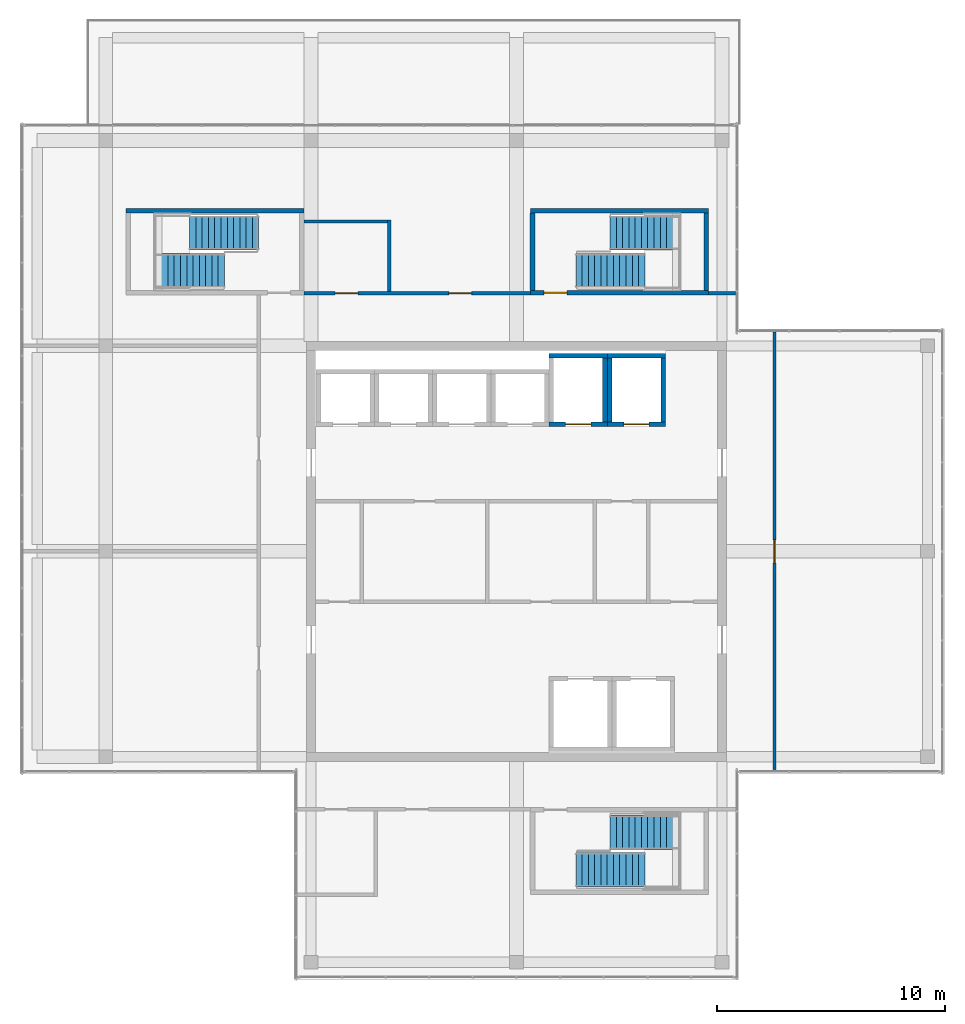
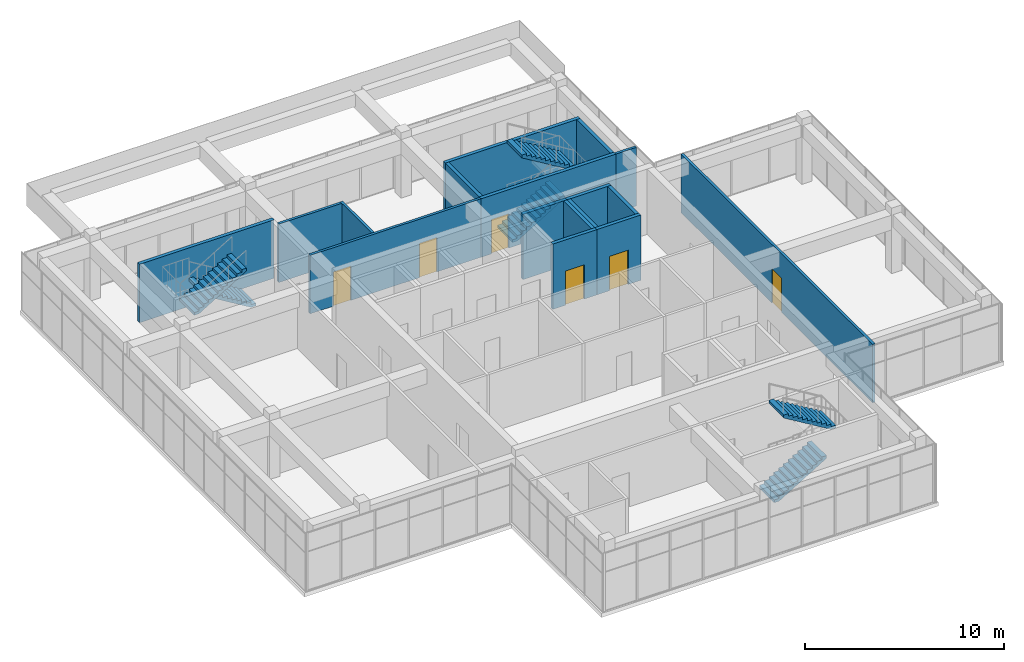
# One storey, part 33 of 35: 17 walls, 6 doors, 6 stair flights, 6 openings, 3 elements without a shape of their own.
"""IFC4 building model written with IfcOpenShell, lengths in metres."""

from ifc_helpers import new_model, si_unit, direction, frame, frame_2d, origin, place, context, subcontext, project, spatial, polyline, rectangle, outline, extrude, material, layer, layer_set, type_object, element, fill, aggregate, save


model = new_model("IFC4")

# Units and contexts
model_context = context("Model", 3, precision=1e-05, world=origin(), true_north=direction((0.0, 1.0)))
body_context = subcontext(model_context, "Body", "Model", "MODEL_VIEW")
ifc_project = project(units=[si_unit("LENGTHUNIT", "METRE"), si_unit("AREAUNIT", "SQUARE_METRE"), si_unit("VOLUMEUNIT", "CUBIC_METRE"), si_unit("PLANEANGLEUNIT", "RADIAN"), si_unit("MASSUNIT", "GRAM", prefix="KILO")], contexts=[model_context])

# Site, building, storey
site_placement = place(None, origin())
site = spatial("IfcSite", under=ifc_project, at=site_placement, CompositionType="ELEMENT")
building_placement = place(site_placement, origin())
building = spatial("IfcBuilding", under=site, at=building_placement, Name="Tuart Plaza Theatre", CompositionType="ELEMENT")
storey_placement = place(building_placement, frame((0.0, 0.0, 49.5)))
storey = spatial("IfcBuildingStorey", under=building, at=storey_placement, Name="L12", CompositionType="ELEMENT", Elevation=49.5)

# Wall, opening, door
ifc_material_1 = material(Name="Masonry block", Category="masonry")
ifc_layer_1 = layer(ifc_material_1, 0.14990234375)
ifc_layer_set_1 = layer_set([ifc_layer_1], Name="PARTITION BLK150 MASONRYB FRL 120/-/-")
wall_type_1 = type_object("IfcWallType", Name="PARTITION BLK150 MASONRYB FRL 120/-/-", PredefinedType="PARTITIONING", material=ifc_layer_set_1)
wall_1_placement = place(storey_placement, frame((143.300048828125, 83.60009765625, 0.0), z_axis=(0.0, 0.0, 1.0), x_axis=(0.0, -1.0, 0.0)))
wall_1 = element("IfcWall", 1, at=wall_1_placement, inside=storey, type_object=wall_type_1, Name="P683", PredefinedType="PARTITIONING", context=body_context, shape_type="SweptSolid", body=[
    extrude(rectangle(XDim=19.2001953125, YDim=0.14990234375, at=frame_2d((9.60009765625, 0.0))), origin(), (0.0, 0.0, 1.0), 3.580078125),
])
opening_1_placement = place(wall_1_placement, frame((9.10009765625, 0.0, 0.0)))
opening_1 = element("IfcOpeningElement", 2, at=opening_1_placement, cuts=wall_1, Name="Opening L12-025", PredefinedType="OPENING", context=body_context, shape_type="SweptSolid", body=[
    extrude(rectangle(XDim=1.0, YDim=2.10009765625, at=frame_2d((0.5, 1.050048828125))), frame((0.0, 0.0849609375, 0.0), z_axis=(0.0, -1.0, 0.0), x_axis=(1.0, 0.0, 0.0)), (0.0, 0.0, 1.0), 0.169921875),
])
ifc_material_2 = material(Name="Timber", Category="wood")
door_type_1 = type_object("IfcDoorType", Name="DOOR 1000x2100 timber single swing FRL -/60/30", OperationType="SINGLE_SWING_LEFT", PredefinedType="DOOR", material=ifc_material_2)
door_1_placement = place(opening_1_placement, origin())
door_1 = element("IfcDoor", 3, at=door_1_placement, inside=storey, type_object=door_type_1, Name="L12-025", OperationType="SINGLE_SWING_LEFT", OverallHeight=2.10009765625, OverallWidth=1.0, PredefinedType="DOOR", context=body_context, shape_type="SweptSolid", body=[
    extrude(rectangle(XDim=1.0, YDim=2.10009765625, at=frame_2d((0.5, 1.050048828125))), frame((0.0, 0.02490234375, 0.0), z_axis=(0.0, -1.0, 0.0), x_axis=(1.0, 0.0, 0.0)), (0.0, 0.0, 1.0), 0.050048828125),
])
fill(opening_1, door_1)

# Wall, openings, doors
wall_2_placement = place(storey_placement, frame((122.699951171875, 85.300048828125, 0.0), z_axis=(0.0, 0.0, 1.0), x_axis=(1.0, 0.0, 0.0)))
wall_2 = element("IfcWall", 4, at=wall_2_placement, inside=storey, type_object=wall_type_1, Name="P684", PredefinedType="PARTITIONING", context=body_context, shape_type="SweptSolid", body=[
    extrude(rectangle(XDim=9.900146484375, YDim=0.14990234375, at=frame_2d((4.9501953125, 0.0))), origin(), (0.0, 0.0, 1.0), 3.580078125),
])
opening_2_placement = place(wall_2_placement, frame((1.35009765625, 0.0, 0.0)))
opening_2 = element("IfcOpeningElement", 5, at=opening_2_placement, cuts=wall_2, Name="Opening L12-022", PredefinedType="OPENING", context=body_context, shape_type="SweptSolid", body=[
    extrude(rectangle(XDim=1.0, YDim=2.10009765625, at=frame_2d((0.5, 1.050048828125))), frame((0.0, 0.0849609375, 0.0), z_axis=(0.0, -1.0, 0.0), x_axis=(1.0, 0.0, 0.0)), (0.0, 0.0, 1.0), 0.169921875),
])
opening_3_placement = place(wall_2_placement, frame((6.3349609375, 0.0, 0.0)))
opening_3 = element("IfcOpeningElement", 6, at=opening_3_placement, cuts=wall_2, Name="Opening L12-027", PredefinedType="OPENING", context=body_context, shape_type="SweptSolid", body=[
    extrude(rectangle(XDim=1.0, YDim=2.10009765625, at=frame_2d((0.5, 1.050048828125))), frame((0.0, 0.0849609375, 0.0), z_axis=(0.0, -1.0, 0.0), x_axis=(1.0, 0.0, 0.0)), (0.0, 0.0, 1.0), 0.169921875),
])
door_2_placement = place(opening_2_placement, origin())
door_2 = element("IfcDoor", 7, at=door_2_placement, inside=storey, type_object=door_type_1, Name="L12-022", OperationType="SINGLE_SWING_LEFT", OverallHeight=2.10009765625, OverallWidth=1.0, PredefinedType="DOOR", context=body_context, shape_type="SweptSolid", body=[
    extrude(rectangle(XDim=1.0, YDim=2.10009765625, at=frame_2d((0.5, 1.050048828125))), frame((0.0, 0.02490234375, 0.0), z_axis=(0.0, -1.0, 0.0), x_axis=(1.0, 0.0, 0.0)), (0.0, 0.0, 1.0), 0.050048828125),
])
fill(opening_2, door_2)
door_3_placement = place(opening_3_placement, origin())
door_3 = element("IfcDoor", 8, at=door_3_placement, inside=storey, type_object=door_type_1, Name="L12-027", OperationType="SINGLE_SWING_LEFT", OverallHeight=2.10009765625, OverallWidth=1.0, PredefinedType="DOOR", context=body_context, shape_type="SweptSolid", body=[
    extrude(rectangle(XDim=1.0, YDim=2.10009765625, at=frame_2d((0.5, 1.050048828125))), frame((0.0, 0.02490234375, 0.0), z_axis=(0.0, -1.0, 0.0), x_axis=(1.0, 0.0, 0.0)), (0.0, 0.0, 1.0), 0.050048828125),
])
fill(opening_3, door_3)

# Walls
wall_3_placement = place(storey_placement, frame((140.39990234375, 85.300048828125, 0.0), z_axis=(0.0, 0.0, 1.0), x_axis=(1.0, 0.0, 0.0)))
element("IfcWall", 9, at=wall_3_placement, inside=storey, type_object=wall_type_1, Name="P685", PredefinedType="PARTITIONING", context=body_context, shape_type="SweptSolid", body=[
    extrude(rectangle(XDim=1.2001953125, YDim=0.14990234375, at=frame_2d((0.60009765625, 0.0))), origin(), (0.0, 0.0, 1.0), 3.580078125),
])
wall_4_placement = place(storey_placement, frame((122.699951171875, 88.449951171875, 0.0), z_axis=(0.0, 0.0, 1.0), x_axis=(1.0, 0.0, 0.0)))
element("IfcWall", 10, at=wall_4_placement, inside=storey, type_object=wall_type_1, Name="P690", PredefinedType="PARTITIONING", context=body_context, shape_type="SweptSolid", body=[
    extrude(rectangle(XDim=3.650146484375, YDim=0.14990234375, at=frame_2d((1.8251953125, 0.0))), origin(), (0.0, 0.0, 1.0), 3.580078125),
])
wall_5_placement = place(storey_placement, frame((126.425048828125, 85.375, 0.0), z_axis=(0.0, 0.0, 1.0), x_axis=(0.0, 1.0, 0.0)))
element("IfcWall", 11, at=wall_5_placement, inside=storey, type_object=wall_type_1, Name="P691", PredefinedType="PARTITIONING", context=body_context, shape_type="SweptSolid", body=[
    extrude(rectangle(XDim=3.14990234375, YDim=0.14990234375, at=frame_2d((1.574951171875, 0.0))), origin(), (0.0, 0.0, 1.0), 3.580078125),
])

# Wall, opening, door
ifc_material_3 = material(Name="Concrete N40 (40 MPa)", Category="concrete")
ifc_layer_2 = layer(ifc_material_3, 0.199951171875)
ifc_layer_set_2 = layer_set([ifc_layer_2], Name="SHEAR WALL RC200 FRL 120/120/120")
wall_type_2 = type_object("IfcWallType", Name="SHEAR WALL RC200 FRL 120/120/120", PredefinedType="SHEAR", material=ifc_layer_set_2)
wall_6_placement = place(storey_placement, frame((133.425048828125, 79.574951171875, 0.0), z_axis=(0.0, 0.0, 1.0), x_axis=(1.0, 0.0, 0.0)))
wall_6 = element("IfcWall", 12, at=wall_6_placement, inside=storey, type_object=wall_type_2, Name="W1214", PredefinedType="SHEAR", context=body_context, shape_type="SweptSolid", body=[
    extrude(rectangle(XDim=2.550048828125, YDim=0.199951171875, at=frame_2d((1.27490234375, 0.0))), origin(), (0.0, 0.0, 1.0), 4.0),
])
opening_4_placement = place(wall_6_placement, frame((0.72509765625, 0.0, 0.0)))
opening_4 = element("IfcOpeningElement", 13, at=opening_4_placement, cuts=wall_6, Name="Opening L12-007", PredefinedType="OPENING", context=body_context, shape_type="SweptSolid", body=[
    extrude(rectangle(XDim=1.10009765625, YDim=2.10009765625, at=frame_2d((0.550048828125, 1.050048828125))), frame((0.0, 0.10986328125, 0.0), z_axis=(0.0, -1.0, 0.0), x_axis=(1.0, 0.0, 0.0)), (0.0, 0.0, 1.0), 0.219970703125),
])
ifc_material_4 = material(Name="Steel Grade 300", Category="steel")
door_type_2 = type_object("IfcDoorType", Name="LANDING DOOR 1100x2100 steel sliding FRL -/120/30", OperationType="SLIDING_TO_LEFT", PredefinedType="DOOR", material=ifc_material_4)
door_4_placement = place(opening_4_placement, origin())
door_4 = element("IfcDoor", 14, at=door_4_placement, inside=storey, type_object=door_type_2, Name="L12-007", OperationType="SLIDING_TO_LEFT", OverallHeight=2.10009765625, OverallWidth=1.10009765625, PredefinedType="DOOR", context=body_context, shape_type="SweptSolid", body=[
    extrude(rectangle(XDim=1.10009765625, YDim=2.10009765625, at=frame_2d((0.550048828125, 1.050048828125))), frame((0.0, 0.02490234375, 0.0), z_axis=(0.0, -1.0, 0.0), x_axis=(1.0, 0.0, 0.0)), (0.0, 0.0, 1.0), 0.050048828125),
])
fill(opening_4, door_4)

# Walls
wall_7_placement = place(storey_placement, frame((135.875, 79.675048828125, 0.0), z_axis=(0.0, 0.0, 1.0), x_axis=(0.0, 1.0, 0.0)))
element("IfcWall", 15, at=wall_7_placement, inside=storey, type_object=wall_type_2, Name="W1215", PredefinedType="SHEAR", context=body_context, shape_type="SweptSolid", body=[
    extrude(rectangle(XDim=2.800048828125, YDim=0.199951171875, at=frame_2d((1.39990234375, 0.0))), origin(), (0.0, 0.0, 1.0), 4.0),
])
wall_8_placement = place(storey_placement, frame((135.97509765625, 82.574951171875, 0.0), z_axis=(0.0, 0.0, 1.0), x_axis=(-1.0, 0.0, 0.0)))
element("IfcWall", 16, at=wall_8_placement, inside=storey, type_object=wall_type_2, Name="W1216", PredefinedType="SHEAR", context=body_context, shape_type="SweptSolid", body=[
    extrude(rectangle(XDim=2.550048828125, YDim=0.199951171875, at=frame_2d((1.27490234375, 0.0))), origin(), (0.0, 0.0, 1.0), 4.0),
])

# Wall, opening, door
wall_9_placement = place(storey_placement, frame((135.97509765625, 79.574951171875, 0.0), z_axis=(0.0, 0.0, 1.0), x_axis=(1.0, 0.0, 0.0)))
wall_9 = element("IfcWall", 17, at=wall_9_placement, inside=storey, type_object=wall_type_2, Name="W1290", PredefinedType="SHEAR", context=body_context, shape_type="SweptSolid", body=[
    extrude(rectangle(XDim=2.5498046875, YDim=0.199951171875, at=frame_2d((1.27490234375, 0.0))), origin(), (0.0, 0.0, 1.0), 4.0),
])
opening_5_placement = place(wall_9_placement, frame((0.72509765625, 0.0, 0.0)))
opening_5 = element("IfcOpeningElement", 18, at=opening_5_placement, cuts=wall_9, Name="Opening L12-008", PredefinedType="OPENING", context=body_context, shape_type="SweptSolid", body=[
    extrude(rectangle(XDim=1.10009765625, YDim=2.10009765625, at=frame_2d((0.550048828125, 1.050048828125))), frame((0.0, 0.10986328125, 0.0), z_axis=(0.0, -1.0, 0.0), x_axis=(1.0, 0.0, 0.0)), (0.0, 0.0, 1.0), 0.219970703125),
])
door_5_placement = place(opening_5_placement, origin())
door_5 = element("IfcDoor", 19, at=door_5_placement, inside=storey, type_object=door_type_2, Name="L12-008", OperationType="SLIDING_TO_LEFT", OverallHeight=2.10009765625, OverallWidth=1.10009765625, PredefinedType="DOOR", context=body_context, shape_type="SweptSolid", body=[
    extrude(rectangle(XDim=1.10009765625, YDim=2.10009765625, at=frame_2d((0.550048828125, 1.050048828125))), frame((0.0, 0.02490234375, 0.0), z_axis=(0.0, -1.0, 0.0), x_axis=(1.0, 0.0, 0.0)), (0.0, 0.0, 1.0), 0.050048828125),
])
fill(opening_5, door_5)

# Walls
wall_10_placement = place(storey_placement, frame((138.425048828125, 79.675048828125, 0.0), z_axis=(0.0, 0.0, 1.0), x_axis=(0.0, 1.0, 0.0)))
element("IfcWall", 20, at=wall_10_placement, inside=storey, type_object=wall_type_2, Name="W1291", PredefinedType="SHEAR", context=body_context, shape_type="SweptSolid", body=[
    extrude(rectangle(XDim=2.800048828125, YDim=0.199951171875, at=frame_2d((1.39990234375, 0.0))), origin(), (0.0, 0.0, 1.0), 4.0),
])
wall_11_placement = place(storey_placement, frame((138.52490234375, 82.574951171875, 0.0), z_axis=(0.0, 0.0, 1.0), x_axis=(-1.0, 0.0, 0.0)))
element("IfcWall", 21, at=wall_11_placement, inside=storey, type_object=wall_type_2, Name="W1292", PredefinedType="SHEAR", context=body_context, shape_type="SweptSolid", body=[
    extrude(rectangle(XDim=2.5498046875, YDim=0.199951171875, at=frame_2d((1.27490234375, 0.0))), origin(), (0.0, 0.0, 1.0), 4.0),
])
wall_12_placement = place(storey_placement, frame((136.074951171875, 82.47509765625, 0.0), z_axis=(0.0, 0.0, 1.0), x_axis=(0.0, -1.0, 0.0)))
element("IfcWall", 22, at=wall_12_placement, inside=storey, type_object=wall_type_2, Name="W1293", PredefinedType="SHEAR", context=body_context, shape_type="SweptSolid", body=[
    extrude(rectangle(XDim=2.800048828125, YDim=0.199951171875, at=frame_2d((1.39990234375, 0.0))), origin(), (0.0, 0.0, 1.0), 4.0),
])

# Wall, opening, door
wall_13_placement = place(storey_placement, frame((132.60009765625, 85.324951171875, 0.0), z_axis=(0.0, 0.0, 1.0), x_axis=(1.0, 0.0, 0.0)))
wall_13 = element("IfcWall", 23, at=wall_13_placement, inside=storey, type_object=wall_type_2, Name="P436", PredefinedType="SHEAR", context=body_context, shape_type="SweptSolid", body=[
    extrude(rectangle(XDim=7.7998046875, YDim=0.199951171875, at=frame_2d((3.89990234375, 0.0))), origin(), (0.0, 0.0, 1.0), 3.580078125),
])
opening_6_placement = place(wall_13_placement, frame((0.60009765625, 0.0, 0.0)))
opening_6 = element("IfcOpeningElement", 24, at=opening_6_placement, cuts=wall_13, Name="Opening L12-010", PredefinedType="OPENING", context=body_context, shape_type="SweptSolid", body=[
    extrude(rectangle(XDim=1.0, YDim=2.10009765625, at=frame_2d((0.5, 1.050048828125))), frame((0.0, 0.10986328125, 0.0), z_axis=(0.0, -1.0, 0.0), x_axis=(1.0, 0.0, 0.0)), (0.0, 0.0, 1.0), 0.219970703125),
])
ifc_material_5 = material(Name="Steel Grade 300", Category="steel")
door_type_3 = type_object("IfcDoorType", Name="DOOR 1000x2100 steel single swing FRL -/120/30", OperationType="SINGLE_SWING_LEFT", PredefinedType="DOOR", material=ifc_material_5)
door_6_placement = place(opening_6_placement, origin())
door_6 = element("IfcDoor", 25, at=door_6_placement, inside=storey, type_object=door_type_3, Name="L12-010", OperationType="SINGLE_SWING_RIGHT", OverallHeight=2.10009765625, OverallWidth=1.0, PredefinedType="DOOR", context=body_context, shape_type="SweptSolid", body=[
    extrude(rectangle(XDim=1.0, YDim=2.10009765625, at=frame_2d((0.5, 1.050048828125))), frame((0.0, 0.02490234375, 0.0), z_axis=(0.0, -1.0, 0.0), x_axis=(1.0, 0.0, 0.0)), (0.0, 0.0, 1.0), 0.050048828125),
])
fill(opening_6, door_6)

# Walls
wall_14_placement = place(storey_placement, frame((140.300048828125, 85.425048828125, 0.0), z_axis=(0.0, 0.0, 1.0), x_axis=(0.0, 1.0, 0.0)))
element("IfcWall", 26, at=wall_14_placement, inside=storey, type_object=wall_type_2, Name="P437", PredefinedType="SHEAR", context=body_context, shape_type="SweptSolid", body=[
    extrude(rectangle(XDim=3.39990234375, YDim=0.199951171875, at=frame_2d((1.699951171875, 0.0))), origin(), (0.0, 0.0, 1.0), 3.580078125),
])
wall_15_placement = place(storey_placement, frame((140.39990234375, 88.925048828125, 0.0), z_axis=(0.0, 0.0, 1.0), x_axis=(-1.0, 0.0, 0.0)))
element("IfcWall", 27, at=wall_15_placement, inside=storey, type_object=wall_type_2, Name="P438", PredefinedType="SHEAR", context=body_context, shape_type="SweptSolid", body=[
    extrude(rectangle(XDim=7.7998046875, YDim=0.199951171875, at=frame_2d((3.89990234375, 0.0))), origin(), (0.0, 0.0, 1.0), 3.580078125),
])
wall_16_placement = place(storey_placement, frame((132.699951171875, 88.824951171875, 0.0), z_axis=(0.0, 0.0, 1.0), x_axis=(0.0, -1.0, 0.0)))
element("IfcWall", 28, at=wall_16_placement, inside=storey, type_object=wall_type_2, Name="P439", PredefinedType="SHEAR", context=body_context, shape_type="SweptSolid", body=[
    extrude(rectangle(XDim=3.39990234375, YDim=0.199951171875, at=frame_2d((1.699951171875, 0.0))), origin(), (0.0, 0.0, 1.0), 3.580078125),
])
wall_17_placement = place(storey_placement, frame((122.699951171875, 88.925048828125, 0.0), z_axis=(0.0, 0.0, 1.0), x_axis=(-1.0, 0.0, 0.0)))
element("IfcWall", 29, at=wall_17_placement, inside=storey, type_object=wall_type_2, Name="P466", PredefinedType="SHEAR", context=body_context, shape_type="SweptSolid", body=[
    extrude(rectangle(XDim=7.800048828125, YDim=0.199951171875, at=frame_2d((3.89990234375, 0.0))), origin(), (0.0, 0.0, 1.0), 3.580078125),
])

# Stair, stair flights
ifc_material_6 = material(Name="Concrete N40 (40 MPa)", Category="concrete")
stair_type = type_object("IfcStairType", Name="STAIR half turn 1500", PredefinedType="HALF_TURN_STAIR", material=ifc_material_6)
stair_1_placement = place(storey_placement, origin())
stair_1 = element("IfcStair", 30, at=stair_1_placement, inside=storey, type_object=stair_type, Name="SC-5", PredefinedType="HALF_TURN_STAIR")
ifc_material_7 = material(Name="Concrete N40 (40 MPa)", Category="concrete")
stair_flight_type = type_object("IfcStairFlightType", Name="STAIR FLIGHT 166.7 275 1500", PredefinedType="STRAIGHT", material=ifc_material_7)
stair_flight_1_placement = place(storey_placement, frame((134.594970703125, 60.050048828125, 0.0), z_axis=(0.0, 0.0, 1.0), x_axis=(1.0, 0.0, 0.0)))
stair_flight_1 = element("IfcStairFlight", 31, at=stair_flight_1_placement, type_object=stair_flight_type, Name="SC-5 flight 1", NumberOfRisers=12, NumberOfTreads=11, PredefinedType="STRAIGHT", RiserHeight=0.166666667, TreadLength=0.275, context=body_context, shape_type="SweptSolid", body=[
    extrude(outline(polyline([(0.0, 0.0), (0.0, 0.166748046875), (0.27490234375, 0.166748046875), (0.27490234375, 0.333251953125), (0.550048828125, 0.333251953125), (0.550048828125, 0.5), (0.824951171875, 0.5), (0.824951171875, 0.666748046875), (1.10009765625, 0.666748046875), (1.10009765625, 0.833251953125), (1.375, 0.833251953125), (1.375, 1.0), (1.64990234375, 1.0), (1.64990234375, 1.166748046875), (1.925048828125, 1.166748046875), (1.925048828125, 1.333251953125), (2.199951171875, 1.333251953125), (2.199951171875, 1.5), (2.47509765625, 1.5), (2.47509765625, 1.666748046875), (2.75, 1.666748046875), (2.75, 1.833251953125), (3.02490234375, 1.833251953125), (3.02490234375, 2.0), (3.02490234375, 1.657958984375), (0.289306640625, 0.0), (0.0, 0.0)])), frame((0.0, 0.75, 0.0), z_axis=(0.0, -1.0, 0.0), x_axis=(1.0, 0.0, 0.0)), (0.0, 0.0, 1.0), 1.5),
])
stair_flight_2_placement = place(storey_placement, frame((139.1201171875, 61.699951171875, 2.0), z_axis=(0.0, 0.0, 1.0), x_axis=(-1.0, 0.0, 0.0)))
stair_flight_2 = element("IfcStairFlight", 32, at=stair_flight_2_placement, type_object=stair_flight_type, Name="SC-5 flight 2", NumberOfRisers=12, NumberOfTreads=11, PredefinedType="STRAIGHT", RiserHeight=0.166666667, TreadLength=0.275, context=body_context, shape_type="SweptSolid", body=[
    extrude(outline(polyline([(0.0, 0.0), (0.0, 0.166748046875), (0.27490234375, 0.166748046875), (0.27490234375, 0.333251953125), (0.550048828125, 0.333251953125), (0.550048828125, 0.5), (0.824951171875, 0.5), (0.824951171875, 0.666748046875), (1.10009765625, 0.666748046875), (1.10009765625, 0.833251953125), (1.375, 0.833251953125), (1.375, 1.0), (1.64990234375, 1.0), (1.64990234375, 1.166748046875), (1.925048828125, 1.166748046875), (1.925048828125, 1.333251953125), (2.199951171875, 1.333251953125), (2.199951171875, 1.5), (2.47509765625, 1.5), (2.47509765625, 1.666748046875), (2.75, 1.666748046875), (2.75, 1.833251953125), (3.02490234375, 1.833251953125), (3.02490234375, 2.0), (3.02490234375, 1.657958984375), (0.289306640625, 0.0), (0.0, 0.0)])), frame((0.0, 0.75, 0.0), z_axis=(0.0, -1.0, 0.0), x_axis=(1.0, 0.0, 0.0)), (0.0, 0.0, 1.0), 1.5),
])
aggregate(stair_1, [stair_flight_1, stair_flight_2])

stair_2_placement = place(storey_placement, origin())
stair_2 = element("IfcStair", 33, at=stair_2_placement, inside=storey, type_object=stair_type, Name="SC-11", PredefinedType="HALF_TURN_STAIR")
stair_flight_3_placement = place(storey_placement, frame((134.594970703125, 86.300048828125, 0.0), z_axis=(0.0, 0.0, 1.0), x_axis=(1.0, 0.0, 0.0)))
stair_flight_3 = element("IfcStairFlight", 34, at=stair_flight_3_placement, type_object=stair_flight_type, Name="SC-11 flight 1", NumberOfRisers=12, NumberOfTreads=11, PredefinedType="STRAIGHT", RiserHeight=0.166666667, TreadLength=0.275, context=body_context, shape_type="SweptSolid", body=[
    extrude(outline(polyline([(0.0, 0.0), (0.0, 0.166748046875), (0.27490234375, 0.166748046875), (0.27490234375, 0.333251953125), (0.550048828125, 0.333251953125), (0.550048828125, 0.5), (0.824951171875, 0.5), (0.824951171875, 0.666748046875), (1.10009765625, 0.666748046875), (1.10009765625, 0.833251953125), (1.375, 0.833251953125), (1.375, 1.0), (1.64990234375, 1.0), (1.64990234375, 1.166748046875), (1.925048828125, 1.166748046875), (1.925048828125, 1.333251953125), (2.199951171875, 1.333251953125), (2.199951171875, 1.5), (2.47509765625, 1.5), (2.47509765625, 1.666748046875), (2.75, 1.666748046875), (2.75, 1.833251953125), (3.02490234375, 1.833251953125), (3.02490234375, 2.0), (3.02490234375, 1.657958984375), (0.289306640625, 0.0), (0.0, 0.0)])), frame((0.0, 0.75, 0.0), z_axis=(0.0, -1.0, 0.0), x_axis=(1.0, 0.0, 0.0)), (0.0, 0.0, 1.0), 1.5),
])
stair_flight_4_placement = place(storey_placement, frame((139.1201171875, 87.949951171875, 2.0), z_axis=(0.0, 0.0, 1.0), x_axis=(-1.0, 0.0, 0.0)))
stair_flight_4 = element("IfcStairFlight", 35, at=stair_flight_4_placement, type_object=stair_flight_type, Name="SC-11 flight 2", NumberOfRisers=12, NumberOfTreads=11, PredefinedType="STRAIGHT", RiserHeight=0.166666667, TreadLength=0.275, context=body_context, shape_type="SweptSolid", body=[
    extrude(outline(polyline([(0.0, 0.0), (0.0, 0.166748046875), (0.27490234375, 0.166748046875), (0.27490234375, 0.333251953125), (0.550048828125, 0.333251953125), (0.550048828125, 0.5), (0.824951171875, 0.5), (0.824951171875, 0.666748046875), (1.10009765625, 0.666748046875), (1.10009765625, 0.833251953125), (1.375, 0.833251953125), (1.375, 1.0), (1.64990234375, 1.0), (1.64990234375, 1.166748046875), (1.925048828125, 1.166748046875), (1.925048828125, 1.333251953125), (2.199951171875, 1.333251953125), (2.199951171875, 1.5), (2.47509765625, 1.5), (2.47509765625, 1.666748046875), (2.75, 1.666748046875), (2.75, 1.833251953125), (3.02490234375, 1.833251953125), (3.02490234375, 2.0), (3.02490234375, 1.657958984375), (0.289306640625, 0.0), (0.0, 0.0)])), frame((0.0, 0.75, 0.0), z_axis=(0.0, -1.0, 0.0), x_axis=(1.0, 0.0, 0.0)), (0.0, 0.0, 1.0), 1.5),
])
aggregate(stair_2, [stair_flight_3, stair_flight_4])

stair_3_placement = place(storey_placement, origin())
stair_3 = element("IfcStair", 36, at=stair_3_placement, inside=storey, type_object=stair_type, Name="SC-17", PredefinedType="HALF_TURN_STAIR")
stair_flight_5_placement = place(storey_placement, frame((120.705078125, 87.949951171875, 0.0), z_axis=(0.0, 0.0, 1.0), x_axis=(-1.0, 0.0, 0.0)))
stair_flight_5 = element("IfcStairFlight", 37, at=stair_flight_5_placement, type_object=stair_flight_type, Name="SC-17 flight 1", NumberOfRisers=12, NumberOfTreads=11, PredefinedType="STRAIGHT", RiserHeight=0.166666667, TreadLength=0.275, context=body_context, shape_type="SweptSolid", body=[
    extrude(outline(polyline([(0.0, 0.0), (0.0, 0.166748046875), (0.27490234375, 0.166748046875), (0.27490234375, 0.333251953125), (0.550048828125, 0.333251953125), (0.550048828125, 0.5), (0.824951171875, 0.5), (0.824951171875, 0.666748046875), (1.10009765625, 0.666748046875), (1.10009765625, 0.833251953125), (1.375, 0.833251953125), (1.375, 1.0), (1.64990234375, 1.0), (1.64990234375, 1.166748046875), (1.925048828125, 1.166748046875), (1.925048828125, 1.333251953125), (2.199951171875, 1.333251953125), (2.199951171875, 1.5), (2.47509765625, 1.5), (2.47509765625, 1.666748046875), (2.75, 1.666748046875), (2.75, 1.833251953125), (3.02490234375, 1.833251953125), (3.02490234375, 2.0), (3.02490234375, 1.657958984375), (0.289306640625, 0.0), (0.0, 0.0)])), frame((0.0, 0.75, 0.0), z_axis=(0.0, -1.0, 0.0), x_axis=(1.0, 0.0, 0.0)), (0.0, 0.0, 1.0), 1.5),
])
stair_flight_6_placement = place(storey_placement, frame((116.179931640625, 86.300048828125, 2.0), z_axis=(0.0, 0.0, 1.0), x_axis=(1.0, 0.0, 0.0)))
stair_flight_6 = element("IfcStairFlight", 38, at=stair_flight_6_placement, type_object=stair_flight_type, Name="SC-17 flight 2", NumberOfRisers=12, NumberOfTreads=11, PredefinedType="STRAIGHT", RiserHeight=0.166666667, TreadLength=0.275, context=body_context, shape_type="SweptSolid", body=[
    extrude(outline(polyline([(0.0, 0.0), (0.0, 0.166748046875), (0.27490234375, 0.166748046875), (0.27490234375, 0.333251953125), (0.550048828125, 0.333251953125), (0.550048828125, 0.5), (0.824951171875, 0.5), (0.824951171875, 0.666748046875), (1.10009765625, 0.666748046875), (1.10009765625, 0.833251953125), (1.375, 0.833251953125), (1.375, 1.0), (1.64990234375, 1.0), (1.64990234375, 1.166748046875), (1.925048828125, 1.166748046875), (1.925048828125, 1.333251953125), (2.199951171875, 1.333251953125), (2.199951171875, 1.5), (2.47509765625, 1.5), (2.47509765625, 1.666748046875), (2.75, 1.666748046875), (2.75, 1.833251953125), (3.02490234375, 1.833251953125), (3.02490234375, 2.0), (3.02490234375, 1.657958984375), (0.289306640625, 0.0), (0.0, 0.0)])), frame((0.0, 0.75, 0.0), z_axis=(0.0, -1.0, 0.0), x_axis=(1.0, 0.0, 0.0)), (0.0, 0.0, 1.0), 1.5),
])
aggregate(stair_3, [stair_flight_5, stair_flight_6])

save(model, "model.ifc")
